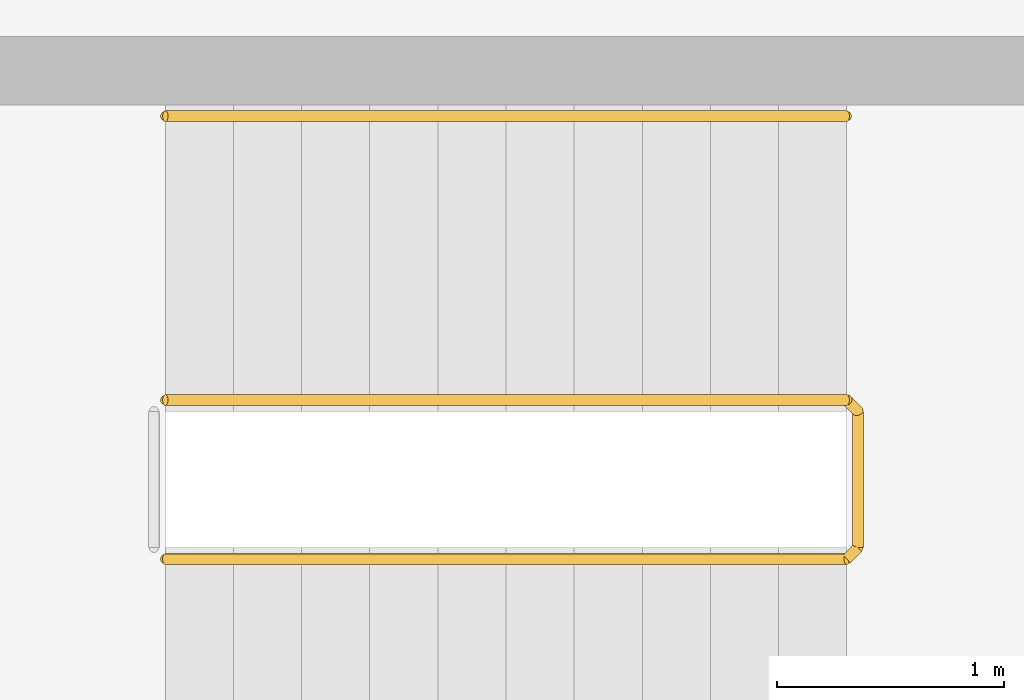
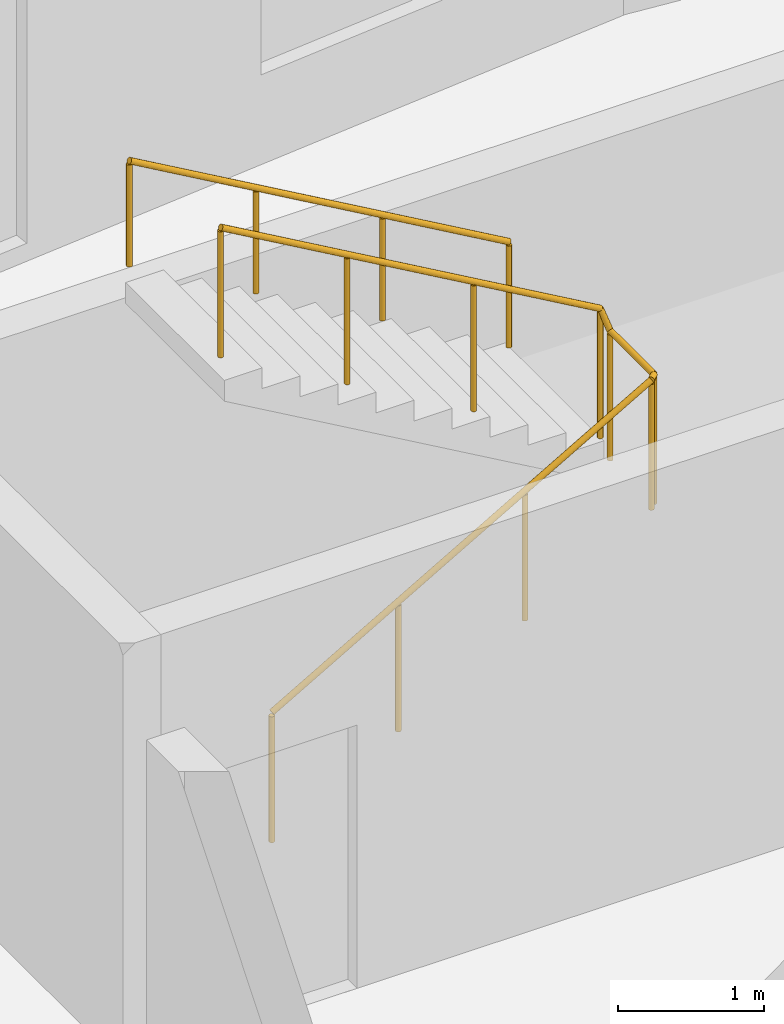
# One storey, part 11 of 11: 2 railings.
"""IFC4 building model written with IfcOpenShell, lengths in metres."""

from ifc_helpers import new_model, si_unit, direction, frame, origin, origin_2d, place, context, subcontext, project, spatial, circle, extrude, material, type_object, element, save


model = new_model("IFC4")

# Units and contexts
model_context = context("Model", 3, precision=1e-05, world=origin(), true_north=direction((0.0, 1.0)))
body_context = subcontext(model_context, "Body", "Model", "MODEL_VIEW")
ifc_project = project(units=[si_unit("LENGTHUNIT", "METRE"), si_unit("AREAUNIT", "SQUARE_METRE"), si_unit("VOLUMEUNIT", "CUBIC_METRE"), si_unit("PLANEANGLEUNIT", "RADIAN"), si_unit("MASSUNIT", "GRAM", prefix="KILO")], contexts=[model_context])

# Site, building, storey
site_placement = place(None, origin())
site = spatial("IfcSite", under=ifc_project, at=site_placement, CompositionType="ELEMENT")
building_placement = place(site_placement, origin())
building = spatial("IfcBuilding", under=site, at=building_placement, Name="Brondeck Convention Tower", CompositionType="ELEMENT")
storey_placement = place(building_placement, frame((0.0, 0.0, 126.5)))
storey = spatial("IfcBuildingStorey", under=building, at=storey_placement, Name="L30", CompositionType="ELEMENT", Elevation=126.5)

# Railings
ifc_material = material(Name="Steel S355", Category="steel")
railing_type_1 = type_object("IfcRailingType", Name="Stair guard 1100", PredefinedType="GUARDRAIL", material=ifc_material)
railing_1_placement = place(storey_placement, frame((37.85009765625, 55.449951171875, 0.172607421875)))
element("IfcRailing", 1, at=railing_1_placement, inside=storey, type_object=railing_type_1, Name="L30 ST-AE stair guard 1", PredefinedType="GUARDRAIL", context=body_context, shape_type="SweptSolid", body=[
    extrude(circle(Radius=0.02392578125, at=origin_2d()), frame((0.0, 0.0, 1.076171875), z_axis=(0.866619684472, 0.0, 0.498969260062), x_axis=(0.0, 1.0, 0.0)), (0.0, 0.0, 1.0), 3.461669921875),
    extrude(circle(Radius=0.02392578125, at=origin_2d()), frame((3.0, 0.0, 2.80322265625), z_axis=(0.705375805398, 0.708833529934, 0.0), x_axis=(-0.708833529934, 0.705375805398, 0.0)), (0.0, 0.0, 1.0), 0.070556640625),
    extrude(circle(Radius=0.02392578125, at=origin_2d()), frame((3.0498046875, 0.050048828125, 2.80322265625), z_axis=(0.0, 1.0, 0.0), x_axis=(-1.0, 0.0, 0.0)), (0.0, 0.0, 1.0), 0.60009765625),
    extrude(circle(Radius=0.02392578125, at=origin_2d()), frame((3.0498046875, 0.650146484375, 2.80322265625), z_axis=(-0.266832911964, 0.266832911964, 0.926067165051), x_axis=(-0.707106781187, -0.707106781187, 0.0)), (0.0, 0.0, 1.0), 0.186767578125),
    extrude(circle(Radius=0.02392578125, at=origin_2d()), frame((3.0, 0.699951171875, 2.97607421875), z_axis=(-0.866619684472, 0.0, 0.498969260062), x_axis=(0.0, -1.0, 0.0)), (0.0, 0.0, 1.0), 3.461669921875),
    extrude(circle(Radius=0.02099609375, at=origin_2d()), origin(), (0.0, 0.0, 1.0), 1.052001953125),
    extrude(circle(Radius=0.02099609375, at=origin_2d()), frame((1.0, 0.0, 0.57568359375)), (0.0, 0.0, 1.0), 1.052001953125),
    extrude(circle(Radius=0.02099609375, at=origin_2d()), frame((2.0, 0.0, 1.151611328125)), (0.0, 0.0, 1.0), 1.052001953125),
    extrude(circle(Radius=0.02099609375, at=origin_2d()), frame((3.0, 0.0, 1.727294921875)), (0.0, 0.0, 1.0), 1.052001953125),
    extrude(circle(Radius=0.02099609375, at=origin_2d()), frame((3.0498046875, 0.050048828125, 1.727294921875)), (0.0, 0.0, 1.0), 1.052001953125),
    extrude(circle(Radius=0.02099609375, at=origin_2d()), frame((3.0498046875, 0.650146484375, 1.727294921875)), (0.0, 0.0, 1.0), 1.052001953125),
    extrude(circle(Radius=0.02099609375, at=origin_2d()), frame((3.0, 0.699951171875, 1.900146484375)), (0.0, 0.0, 1.0), 1.052001953125),
    extrude(circle(Radius=0.02099609375, at=origin_2d()), frame((2.0, 0.699951171875, 2.475830078125)), (0.0, 0.0, 1.0), 1.052001953125),
    extrude(circle(Radius=0.02099609375, at=origin_2d()), frame((1.0, 0.699951171875, 3.0517578125)), (0.0, 0.0, 1.0), 1.052001953125),
    extrude(circle(Radius=0.02099609375, at=origin_2d()), frame((0.0, 0.699951171875, 3.62744140625)), (0.0, 0.0, 1.0), 1.052001953125),
])
railing_type_2 = type_object("IfcRailingType", Name="Stair handrail", PredefinedType="HANDRAIL", material=ifc_material)
railing_2_placement = place(storey_placement, frame((40.85009765625, 57.39990234375, 2.07275390625)))
element("IfcRailing", 2, at=railing_2_placement, inside=storey, type_object=railing_type_2, Name="L30 ST-AE stair handrail 2", PredefinedType="HANDRAIL", context=body_context, shape_type="SweptSolid", body=[
    extrude(circle(Radius=0.02392578125, at=origin_2d()), frame((0.0, 0.0, 0.8759765625), z_axis=(-0.866619684472, 0.0, 0.498969260062), x_axis=(0.0, -1.0, 0.0)), (0.0, 0.0, 1.0), 3.461669921875),
    extrude(circle(Radius=0.02099609375, at=origin_2d()), origin(), (0.0, 0.0, 1.0), 0.851806640625),
    extrude(circle(Radius=0.02099609375, at=origin_2d()), frame((-1.0, 0.0, 0.57568359375)), (0.0, 0.0, 1.0), 0.851806640625),
    extrude(circle(Radius=0.02099609375, at=origin_2d()), frame((-2.0, 0.0, 1.151611328125)), (0.0, 0.0, 1.0), 0.851806640625),
    extrude(circle(Radius=0.02099609375, at=origin_2d()), frame((-3.0, 0.0, 1.727294921875)), (0.0, 0.0, 1.0), 0.851806640625),
])

save(model, "model.ifc")
